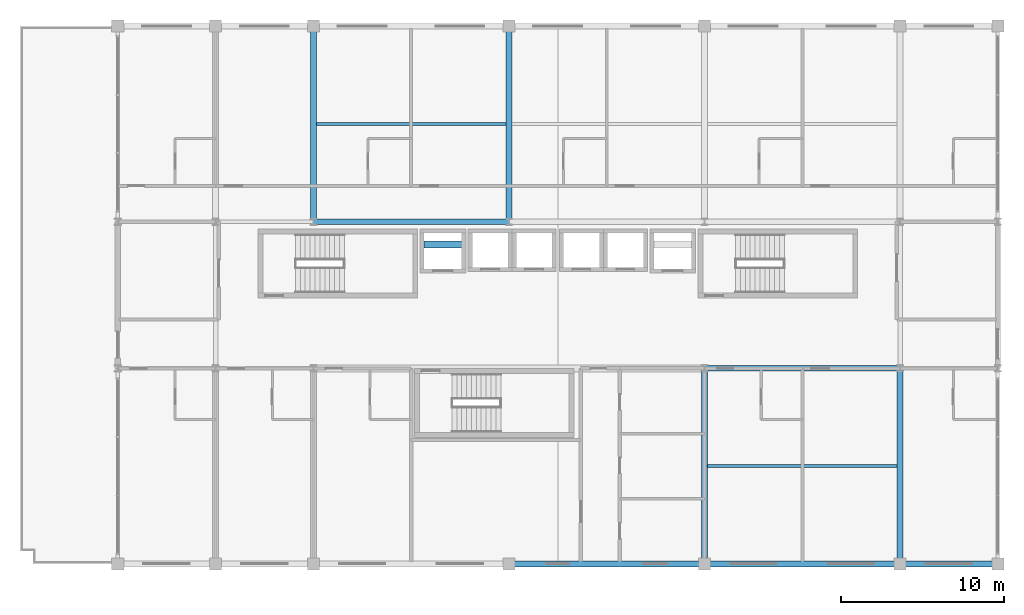
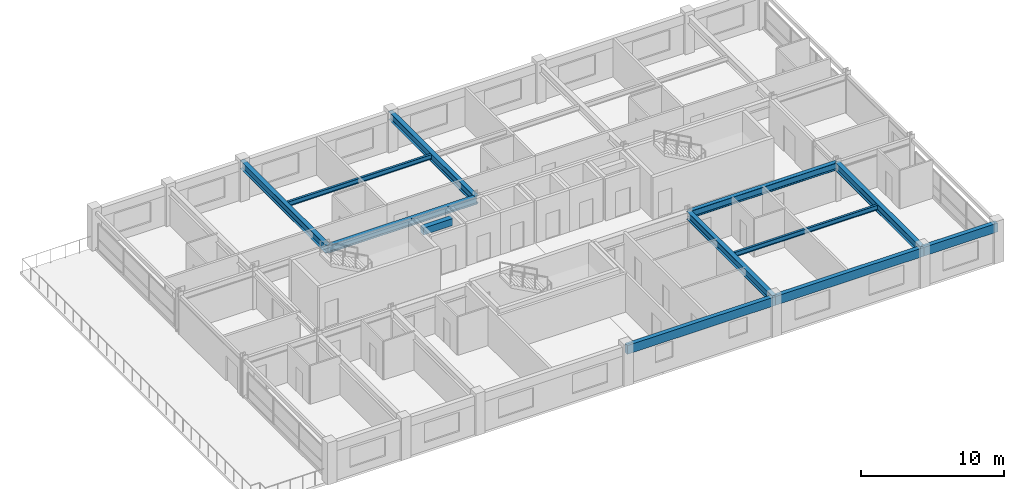
# One storey, part 9 of 21: 12 beams.
"""IFC4 building model written with IfcOpenShell, lengths in metres."""

import ifcopenshell
import ifcopenshell.guid

model = None  # the IFC model being written
_history = None  # IfcOwnerHistory: only IFC2X3 demands one
_inside = {}  # id of a spatial element -> (the spatial element, [elements in it])
_under = {}  # id of a project, library or spatial element -> (it, [spatial elements below it])
_declared = {}  # id of a project -> (the project, [libraries it declares])
_typed = {}  # id of a type object -> (the type object, [elements of that type])
_made_of = {}  # id of a material, layer set ... -> (it, [elements and type objects made of it])


def new_model(schema):
    """Start an empty IFC model of exactly this schema.

    Asked for "IFC4X3", IfcOpenShell would pick the latest addendum, in which some entities
    have other attributes; the version numbers below select the first issue.
    IFC2X3 requires an IfcOwnerHistory on every rooted entity: one is made here for all.
    """
    global model, _history
    if schema == "IFC4X3":
        model = ifcopenshell.file(schema_version=(4, 3, 0, 0))
    else:
        model = ifcopenshell.file(schema=schema)
    _inside.clear()
    _under.clear()
    _declared.clear()
    _typed.clear()
    _made_of.clear()
    _history = None
    if model.schema == "IFC2X3":
        org = make("IfcOrganization", Name="unknown")
        user = make(
            "IfcPersonAndOrganization",
            ThePerson=make("IfcPerson", FamilyName="unknown"),
            TheOrganization=org,
        )
        app = make(
            "IfcApplication",
            ApplicationDeveloper=org,
            Version="unknown",
            ApplicationFullName="unknown",
            ApplicationIdentifier="unknown",
        )
        _history = make(
            "IfcOwnerHistory",
            OwningUser=user,
            OwningApplication=app,
            ChangeAction="ADDED",
            CreationDate=0,
        )
    return model


def make(cls, **values):
    """One entity of the class cls with the attributes given. An attribute that is None is left unset."""
    return model.create_entity(
        cls, **{name: value for name, value in values.items() if value is not None}
    )


def rooted(cls, **values):
    """An entity with a GlobalId (a new one), such as an element, a storey or a relation."""
    return make(cls, GlobalId=ifcopenshell.guid.new(), OwnerHistory=_history, **values)


def si_unit(unit_type, name, prefix=None):
    """IfcSIUnit, for example si_unit("LENGTHUNIT", "METRE", prefix="MILLI")."""
    return make("IfcSIUnit", UnitType=unit_type, Prefix=prefix, Name=name)


def assignment(units):
    """IfcUnitAssignment: the units of a project."""
    return None if units is None else make("IfcUnitAssignment", Units=units)


def point(xyz):
    """IfcCartesianPoint."""
    return None if xyz is None else make("IfcCartesianPoint", Coordinates=xyz)


def direction(xyz):
    """IfcDirection."""
    return None if xyz is None else make("IfcDirection", DirectionRatios=xyz)


def frame(location, z_axis=None, x_axis=None):
    """IfcAxis2Placement3D, a coordinate frame: its origin and axes. An axis left out is left unset."""
    return make(
        "IfcAxis2Placement3D",
        Location=point(location),
        Axis=direction(z_axis),
        RefDirection=direction(x_axis),
    )


def frame_2d(location, x_axis=None):
    """IfcAxis2Placement2D, a coordinate frame in the plane: its origin and x axis."""
    return make(
        "IfcAxis2Placement2D", Location=point(location), RefDirection=direction(x_axis)
    )


def origin():
    """The frame at (0, 0, 0) with its axes left unset."""
    return frame((0.0, 0.0, 0.0))


def origin_2d():
    """The frame at (0, 0) in the plane with its x axis left unset."""
    return frame_2d((0.0, 0.0))


def place(relative_to, where):
    """IfcLocalPlacement: puts the frame where relative to a parent placement (None: the world)."""
    return make(
        "IfcLocalPlacement", PlacementRelTo=relative_to, RelativePlacement=where
    )


def context(
    kind, dimensions, precision=None, world=None, true_north=None, identifier=None
):
    """IfcGeometricRepresentationContext, for example the 3D "Model" context."""
    return make(
        "IfcGeometricRepresentationContext",
        ContextIdentifier=identifier,
        ContextType=kind,
        CoordinateSpaceDimension=dimensions,
        Precision=precision,
        WorldCoordinateSystem=world,
        TrueNorth=true_north,
    )


def subcontext(parent, identifier, kind, view, scale=None):
    """IfcGeometricRepresentationSubContext, for example "Body" below "Model"."""
    return make(
        "IfcGeometricRepresentationSubContext",
        ContextIdentifier=identifier,
        ContextType=kind,
        ParentContext=parent,
        TargetScale=scale,
        TargetView=view,
    )


def project(units=None, contexts=None):
    """IfcProject with its units and contexts."""
    return rooted(
        "IfcProject",
        Name="project",
        RepresentationContexts=contexts,
        UnitsInContext=assignment(units),
    )


def spatial(cls, under=None, at=None, **own):
    """A site, building, storey or space (cls), placed at a placement, below another one or the project."""
    s = rooted(cls, ObjectPlacement=at, **own)
    if under is not None:
        _under.setdefault(under.id(), (under, []))[1].append(s)
    return s


def profile(cls, at=None, kind="AREA", **sizes):
    """A parametric profile (cls). Its sizes go by their IFC names, for example OverallWidth=200.0."""
    return make(cls, ProfileType=kind, Position=at, **sizes)


def rectangle(**sizes):
    """IfcRectangleProfileDef."""
    return profile("IfcRectangleProfileDef", **sizes)


def i_section(**sizes):
    """IfcIShapeProfileDef."""
    return profile("IfcIShapeProfileDef", **sizes)


def extrude(swept, where, along, depth):
    """IfcExtrudedAreaSolid: the profile swept, set in the frame where, extruded along a direction by depth."""
    return make(
        "IfcExtrudedAreaSolid",
        SweptArea=swept,
        Position=where,
        ExtrudedDirection=direction(along),
        Depth=depth,
    )


def shape(context_of_items, identifier, shape_type, items):
    """IfcShapeRepresentation: the items that make up one representation, for example the "Body"."""
    return make(
        "IfcShapeRepresentation",
        ContextOfItems=context_of_items,
        RepresentationIdentifier=identifier,
        RepresentationType=shape_type,
        Items=items,
    )


def material(Name=None, Category=None):
    """IfcMaterial."""
    return make("IfcMaterial", Name=Name, Category=Category)


def material_profile(
    of_material, cross_section, Name=None, Category=None, Priority=None
):
    """IfcMaterialProfile: a cross section and its material."""
    return make(
        "IfcMaterialProfile",
        Name=Name,
        Material=of_material,
        Profile=cross_section,
        Priority=Priority,
        Category=Category,
    )


def profile_set(profiles, Name=None, composite=None):
    """IfcMaterialProfileSet."""
    return make(
        "IfcMaterialProfileSet",
        Name=Name,
        MaterialProfiles=profiles,
        CompositeProfile=composite,
    )


def made_of(thing, what):
    """Note that an element or type object is made of a material, layer set ...; save() writes the relation."""
    if what is not None:
        _made_of.setdefault(what.id(), (what, []))[1].append(thing)
    return thing


def type_object(cls, material=None, **own):
    """A type object (cls), such as IfcWallType, which elements share."""
    return made_of(rooted(cls, **own), material)


def element(
    cls,
    number,
    at=None,
    inside=None,
    cuts=None,
    type_object=None,
    material=None,
    context=None,
    identifier="Body",
    shape_type=None,
    held_by="IfcProductDefinitionShape",
    body=None,
    shapes=None,
    **own,
):
    """One element of the class cls, such as IfcWall. Its Tag is "e" and its number.

    at: its placement. inside: the storey or other place that contains it. cuts: it is an
    opening in that element (IfcRelVoidsElement). A single representation is given by context,
    identifier, shape_type and body (its items); several are given by shapes. held_by: the class
    of the entity that holds the representations. save() writes the other relations.
    """
    e = rooted(cls, Tag="e%d" % number, ObjectPlacement=at, **own)
    if body is not None:
        shapes = [shape(context, identifier, shape_type, body)]
    if shapes is not None:
        e.Representation = make(held_by, Representations=shapes)
    if inside is not None:
        _inside.setdefault(inside.id(), (inside, []))[1].append(e)
    if cuts is not None:
        rooted(
            "IfcRelVoidsElement", RelatingBuildingElement=cuts, RelatedOpeningElement=e
        )
    if type_object is not None:
        _typed.setdefault(type_object.id(), (type_object, []))[1].append(e)
    return made_of(e, material)


def aggregate(whole, parts):
    """IfcRelAggregates: a whole, such as a stair, and the parts it consists of."""
    return rooted("IfcRelAggregates", RelatingObject=whole, RelatedObjects=parts)


def save(model, path):
    """Write the relations noted so far, then the file.

    IfcRelAggregates (storeys below a building ...), IfcRelContainedInSpatialStructure (elements
    in a storey), IfcRelDefinesByType, IfcRelAssociatesMaterial and IfcRelDeclares: one each for
    every whole, place, type object, material and project.
    """
    for whole, parts in _under.values():
        aggregate(whole, parts)
    for where, things in _inside.values():
        rooted(
            "IfcRelContainedInSpatialStructure",
            RelatedElements=things,
            RelatingStructure=where,
        )
    for kind, things in _typed.values():
        rooted("IfcRelDefinesByType", RelatedObjects=things, RelatingType=kind)
    for what, things in _made_of.values():
        rooted("IfcRelAssociatesMaterial", RelatedObjects=things, RelatingMaterial=what)
    for by, libraries in _declared.values():
        rooted("IfcRelDeclares", RelatingContext=by, RelatedDefinitions=libraries)
    model.write(path)


model = new_model("IFC4")

# Units and contexts
model_context = context("Model", 3, precision=1e-05, world=origin(), true_north=direction((0.0, 1.0)))
body_context = subcontext(model_context, "Body", "Model", "MODEL_VIEW")
ifc_project = project(units=[si_unit("LENGTHUNIT", "METRE"), si_unit("AREAUNIT", "SQUARE_METRE"), si_unit("VOLUMEUNIT", "CUBIC_METRE"), si_unit("PLANEANGLEUNIT", "RADIAN"), si_unit("MASSUNIT", "GRAM", prefix="KILO")], contexts=[model_context])

# Site, building, storey
site_placement = place(None, origin())
site = spatial("IfcSite", under=ifc_project, at=site_placement, CompositionType="ELEMENT")
building_placement = place(site_placement, origin())
building = spatial("IfcBuilding", under=site, at=building_placement, Name="Kaldorvane Square Convention Centre", CompositionType="ELEMENT")
storey_placement = place(building_placement, frame((0.0, 0.0, 49.19999694824219)))
storey = spatial("IfcBuildingStorey", under=building, at=storey_placement, Name="L11", CompositionType="ELEMENT", Elevation=49.19999694824219)

# Beams
ifc_material_1 = material(Name="Steel ASTM A992 Gr. 50", Category="steel")
ifc_material_profile_1 = material_profile(ifc_material_1, i_section(OverallWidth=0.326507568359375, OverallDepth=0.621795654296875, WebThickness=0.0153961181640625, FlangeThickness=0.0243988037109375, FilletRadius=0.0126953125, at=origin_2d()), Name="W24X131")
ifc_profile_set_1 = profile_set([ifc_material_profile_1], Name="Steel ASTM A992 Gr. 50")
beam_type_1 = type_object("IfcBeamType", Name="BM-GR-W24X131", PredefinedType="BEAM", material=ifc_profile_set_1)
for number, where, z_axis, x_axis, name in (
    (1, (66.0, 96.0, 2.97509765625), (1.0, 0.0, 0.0), (0.0, 1.0, 0.0), "Primary Girder (L11)"),
    (2, (42.0, 105.0, 2.97509765625), (1.0, 0.0, 0.0), (0.0, 1.0, 0.0), "Primary Girder (L11)"),
):
    element("IfcBeam", number, at=place(storey_placement, frame(where, z_axis=z_axis, x_axis=x_axis)), inside=storey, type_object=beam_type_1, Name=name, PredefinedType="BEAM", context=body_context, shape_type="SweptSolid", body=[
        extrude(i_section(OverallWidth=0.326507568359375, OverallDepth=0.621795654296875, WebThickness=0.0153961181640625, FlangeThickness=0.0243988037109375, FilletRadius=0.0126953125, at=origin_2d()), origin(), (0.0, 0.0, 1.0), 12.0),
    ])
ifc_material_profile_2 = material_profile(ifc_material_1, i_section(OverallWidth=0.354705810546875, OverallDepth=0.69549560546875, WebThickness=0.0153961181640625, FlangeThickness=0.0251007080078125, FilletRadius=0.01519775390625, at=origin_2d()), Name="W27X146")
ifc_profile_set_2 = profile_set([ifc_material_profile_2], Name="Steel ASTM A992 Gr. 50")
beam_type_2 = type_object("IfcBeamType", Name="BM-GR-W27X146", PredefinedType="BEAM", material=ifc_profile_set_2)
for number, where, z_axis, x_axis, name in (
    (3, (42.0, 105.0, 2.9383087158203125), (0.0, 1.0, 0.0), (-1.0, 0.0, 0.0), "Transverse Girder (L11)"),
    (4, (54.0, 105.0, 2.9383087158203125), (0.0, 1.0, 0.0), (-1.0, 0.0, 0.0), "Transverse Girder (L11)"),
    (5, (66.0, 84.0, 2.9383087158203125), (0.0, 1.0, 0.0), (-1.0, 0.0, 0.0), "Transverse Girder (L11)"),
    (6, (78.0, 84.0, 2.9383087158203125), (0.0, 1.0, 0.0), (-1.0, 0.0, 0.0), "Transverse Girder (L11)"),
):
    element("IfcBeam", number, at=place(storey_placement, frame(where, z_axis=z_axis, x_axis=x_axis)), inside=storey, type_object=beam_type_2, Name=name, PredefinedType="BEAM", context=body_context, shape_type="SweptSolid", body=[
        extrude(i_section(OverallWidth=0.354705810546875, OverallDepth=0.69549560546875, WebThickness=0.0153961181640625, FlangeThickness=0.0251007080078125, FilletRadius=0.01519775390625, at=origin_2d()), origin(), (0.0, 0.0, 1.0), 12.0),
    ])
ifc_material_profile_3 = material_profile(ifc_material_1, i_section(OverallWidth=0.177398681640625, OverallDepth=0.403106689453125, WebThickness=0.00750732421875, FlangeThickness=0.010894775390625, FilletRadius=0.01019287109375, at=origin_2d()), Name="W16X36")
ifc_profile_set_3 = profile_set([ifc_material_profile_3], Name="Steel ASTM A992 Gr. 50")
beam_type_3 = type_object("IfcBeamType", Name="BM-JS-W16X36", PredefinedType="JOIST", material=ifc_profile_set_3)
beam_1_placement = place(storey_placement, frame((66.17739868164062, 90.0, 3.084503173828125), z_axis=(1.0, 0.0, 0.0), x_axis=(0.0, 1.0, 0.0)))
element("IfcBeam", 7, at=beam_1_placement, inside=storey, type_object=beam_type_3, Name="Secondary Floor Joist (L11)", PredefinedType="JOIST", context=body_context, shape_type="SweptSolid", body=[
    extrude(i_section(OverallWidth=0.177398681640625, OverallDepth=0.403106689453125, WebThickness=0.00750732421875, FlangeThickness=0.010894775390625, FilletRadius=0.01019287109375, at=origin_2d()), origin(), (0.0, 0.0, 1.0), 11.64520263671875),
])
beam_2_placement = place(storey_placement, frame((42.17730712890625, 111.0, 3.084503173828125), z_axis=(1.0, 0.0, 0.0), x_axis=(0.0, 1.0, 0.0)))
element("IfcBeam", 8, at=beam_2_placement, inside=storey, type_object=beam_type_3, Name="Secondary Floor Joist (L11)", PredefinedType="JOIST", context=body_context, shape_type="SweptSolid", body=[
    extrude(i_section(OverallWidth=0.177398681640625, OverallDepth=0.403106689453125, WebThickness=0.00750732421875, FlangeThickness=0.010894775390625, FilletRadius=0.01019287109375, at=origin_2d()), origin(), (0.0, 0.0, 1.0), 11.6453857421875),
])
ifc_material_2 = material(Name="Concrete f'c = 42 MPa (Normalweight)", Category="concrete")
ifc_material_profile_4 = material_profile(ifc_material_2, rectangle(XDim=0.399993896484375, YDim=0.600006103515625, at=origin_2d()), Name="RCLN600X400")
ifc_profile_set_4 = profile_set([ifc_material_profile_4], Name="Concrete f'c = 42 MPa (Normalweight)")
beam_type_4 = type_object("IfcBeamType", Name="BM-LN-RC600", PredefinedType="LINTEL", material=ifc_profile_set_4)
beam_3_placement = place(storey_placement, frame((48.80000305175781, 103.60000610351562, 2.988006591796875), z_axis=(1.0, 0.0, 0.0), x_axis=(0.0, 1.0, 0.0)))
element("IfcBeam", 9, at=beam_3_placement, inside=storey, type_object=beam_type_4, Name="Core Coupling Lintel W (L11)", PredefinedType="LINTEL", context=body_context, shape_type="SweptSolid", body=[
    extrude(rectangle(XDim=0.399993896484375, YDim=0.600006103515625, at=origin_2d()), origin(), (0.0, 0.0, 1.0), 2.399993896484375),
])
ifc_material_profile_5 = material_profile(ifc_material_2, rectangle(XDim=0.350006103515625, YDim=0.75, at=origin_2d()), Name="RCSP750X350")
ifc_profile_set_5 = profile_set([ifc_material_profile_5], Name="Concrete f'c = 42 MPa (Normalweight)")
beam_type_5 = type_object("IfcBeamType", Name="BM-SP-RC750", PredefinedType="SPANDREL", material=ifc_profile_set_5)
for number, where, z_axis, x_axis, name in (
    (10, (54.0, 84.0, 2.9109954833984375), (1.0, 0.0, 0.0), (0.0, 1.0, 0.0), "Perimeter Spandrel (L11)"),
    (11, (66.0, 84.0, 2.9109954833984375), (1.0, 0.0, 0.0), (0.0, 1.0, 0.0), "Perimeter Spandrel (L11)"),
):
    element("IfcBeam", number, at=place(storey_placement, frame(where, z_axis=z_axis, x_axis=x_axis)), inside=storey, type_object=beam_type_5, Name=name, PredefinedType="SPANDREL", context=body_context, shape_type="SweptSolid", body=[
        extrude(rectangle(XDim=0.350006103515625, YDim=0.75, at=origin_2d()), origin(), (0.0, 0.0, 1.0), 12.0),
    ])
beam_4_placement = place(storey_placement, frame((78.0, 84.0, 2.9109954833984375), z_axis=(1.0, 0.0, 0.0), x_axis=(0.0, 1.0, 0.0)))
element("IfcBeam", 12, at=beam_4_placement, inside=storey, type_object=beam_type_5, Name="Perimeter Spandrel (L11)", PredefinedType="SPANDREL", context=body_context, shape_type="SweptSolid", body=[
    extrude(rectangle(XDim=0.350006103515625, YDim=0.75, at=origin_2d()), origin(), (0.0, 0.0, 1.0), 6.0),
])

save(model, "model.ifc")
